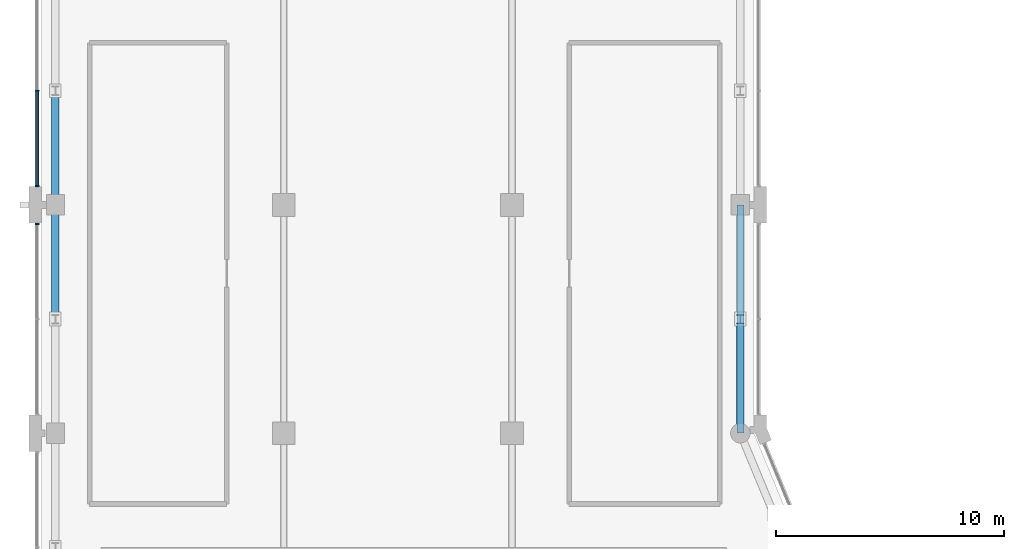
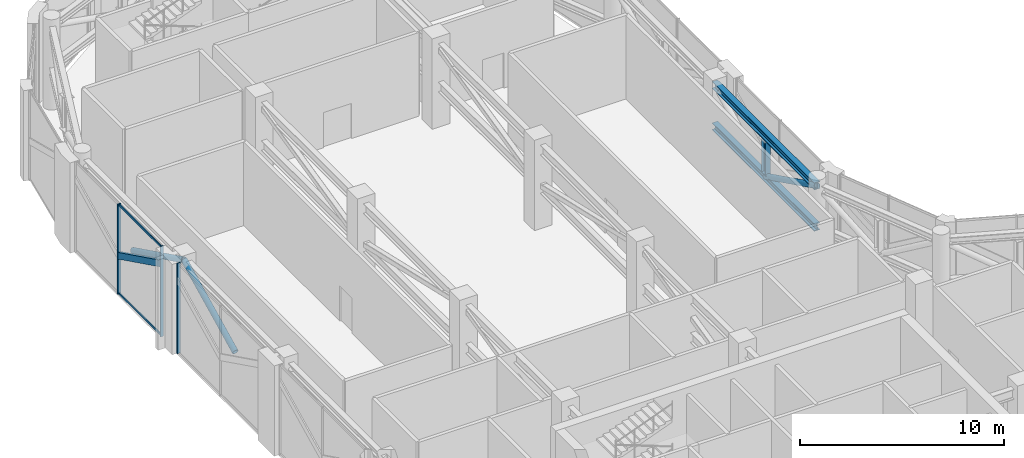
# One storey, part 7 of 18: 12 members, 2 elements without a shape of their own.
"""IFC4 building model written with IfcOpenShell, lengths in metres."""

from ifc_helpers import new_model, si_unit, direction, frame, origin, origin_2d, place, context, subcontext, project, spatial, polyline, rectangle, hollow_circle, i_section, outline, extrude, material, layer, layer_set, material_profile, profile_set, type_object, element, aggregate, save


model = new_model("IFC4")

# Units and contexts
model_context = context("Model", 3, precision=1e-05, world=origin(), true_north=direction((0.0, 1.0)))
body_context = subcontext(model_context, "Body", "Model", "MODEL_VIEW")
ifc_project = project(units=[si_unit("LENGTHUNIT", "METRE"), si_unit("AREAUNIT", "SQUARE_METRE"), si_unit("VOLUMEUNIT", "CUBIC_METRE"), si_unit("PLANEANGLEUNIT", "RADIAN"), si_unit("MASSUNIT", "GRAM", prefix="KILO")], contexts=[model_context])

# Site, building, storey
site_placement = place(None, origin())
site = spatial("IfcSite", under=ifc_project, at=site_placement, CompositionType="ELEMENT")
building_placement = place(site_placement, origin())
building = spatial("IfcBuilding", under=site, at=building_placement, Name="Qaws Garden Tower", CompositionType="ELEMENT")
storey_placement = place(building_placement, frame((0.0, 0.0, 352.800048828125)))
storey = spatial("IfcBuildingStorey", under=building, at=storey_placement, Name="L86", CompositionType="ELEMENT", Elevation=352.800048828125)

# Members
ifc_material_1 = material(Name="Steel S355", Category="steel")
ifc_material_profile_1 = material_profile(ifc_material_1, i_section(OverallWidth=0.306884765625, OverallDepth=0.431884765625, WebThickness=0.02099609375, FlangeThickness=0.0400390625, FilletRadius=0.027099609375, at=origin_2d()), Name="HEM 400")
ifc_profile_set_1 = profile_set([ifc_material_profile_1], Name="Steel S355")
member_type_1 = type_object("IfcMemberType", Name="Belt chord HEM 400", PredefinedType="CHORD", material=ifc_profile_set_1)
for number, where, z_axis, x_axis, name in (
    (1, (30.0, 40.0, 4.783935546875), (0.0, 1.0, 0.0), (-1.0, 0.0, 0.0), "Belt truss top chord 8"),
    (2, (30.0, 40.0, 2.31591796875), (0.0, 1.0, 0.0), (-1.0, 0.0, 0.0), "Belt truss bottom chord 8"),
):
    element("IfcMember", number, at=place(storey_placement, frame(where, z_axis=z_axis, x_axis=x_axis)), inside=storey, type_object=member_type_1, Name=name, PredefinedType="CHORD", context=body_context, shape_type="SweptSolid", body=[
        extrude(i_section(OverallWidth=0.306884765625, OverallDepth=0.431884765625, WebThickness=0.02099609375, FlangeThickness=0.0400390625, FilletRadius=0.027099609375, at=origin_2d()), origin(), (0.0, 0.0, 1.0), 10.0),
    ])
ifc_material_2 = material(Name="Steel S355", Category="steel")
ifc_material_profile_2 = material_profile(ifc_material_2, hollow_circle(Radius=0.161865234375, WallThickness=0.01611328125, at=origin_2d()), Name="CHS 323.9x16")
ifc_profile_set_2 = profile_set([ifc_material_profile_2], Name="Steel S355")
member_type_2 = type_object("IfcMemberType", Name="Belt diagonal CHS 323.9x16", PredefinedType="BRACE", material=ifc_profile_set_2)
for number, where, z_axis, x_axis, name in (
    (3, (30.0, 40.0, 4.783935546875), (0.0, 0.896709736444, -0.442619078404), (-1.0, 0.0, 0.0), "Belt truss diagonal 8a"),
    (4, (0.0, 55.0, 2.31591796875), (0.0, -0.896709736444, 0.442619078404), (1.0, 0.0, 0.0), "Belt truss diagonal 14b"),
    (5, (0.0, 50.0, 4.783935546875), (0.0, -0.896709736444, -0.442619078404), (1.0, 0.0, 0.0), "Belt truss diagonal 15a"),
):
    element("IfcMember", number, at=place(storey_placement, frame(where, z_axis=z_axis, x_axis=x_axis)), inside=storey, type_object=member_type_2, Name=name, PredefinedType="BRACE", context=body_context, shape_type="SweptSolid", body=[
        extrude(hollow_circle(Radius=0.161865234375, WallThickness=0.01611328125, at=origin_2d()), origin(), (0.0, 0.0, 1.0), 5.575927734375),
    ])
ifc_material_3 = material(Name="Steel S355", Category="steel")
ifc_material_profile_3 = material_profile(ifc_material_3, i_section(OverallWidth=0.300048828125, OverallDepth=0.39990234375, WebThickness=0.013427734375, FlangeThickness=0.02392578125, FilletRadius=0.027099609375, at=origin_2d()), Name="HEB 400")
ifc_profile_set_3 = profile_set([ifc_material_profile_3], Name="Steel S355")
member_type_3 = type_object("IfcMemberType", Name="Belt post HEB 400", PredefinedType="POST", material=ifc_profile_set_3)
member_1_placement = place(storey_placement, frame((30.0, 45.0, 2.531982421875), z_axis=(0.0, 0.0, 1.0), x_axis=(1.0, 0.0, 0.0)))
element("IfcMember", 6, at=member_1_placement, inside=storey, type_object=member_type_3, Name="Belt truss post 8", PredefinedType="POST", context=body_context, shape_type="SweptSolid", body=[
    extrude(i_section(OverallWidth=0.300048828125, OverallDepth=0.39990234375, WebThickness=0.013427734375, FlangeThickness=0.02392578125, FilletRadius=0.027099609375, at=origin_2d()), origin(), (0.0, 0.0, 1.0), 2.035888671875),
])

# Curtain wall, members
ifc_material_4 = material(Name="Anodised aluminium curtain wall frame", Category="aluminium")
ifc_layer = layer(ifc_material_4, 0.159912109375)
ifc_layer_set = layer_set([ifc_layer], Name="Anodised aluminium curtain wall frame")
curtain_wall_type = type_object("IfcCurtainWallType", Name="CW6 plant floor louvre glazing curtain wall", PredefinedType="NOTDEFINED", material=ifc_layer_set)
placement = place(storey_placement, origin())
curtain_wall_1 = element("IfcCurtainWall", 7, at=placement, inside=storey, type_object=curtain_wall_type, Name="CW6 Plant floor louvre glazing 17", PredefinedType="NOTDEFINED")
ifc_material_5 = material(Name="Anodised aluminium curtain wall frame", Category="aluminium")
ifc_material_profile_4 = material_profile(ifc_material_5, rectangle(XDim=0.179931640625, YDim=0.360107421875, at=origin_2d()), Name="AL 180x360")
ifc_profile_set_4 = profile_set([ifc_material_profile_4], Name="Anodised aluminium curtain wall frame")
member_type_4 = type_object("IfcMemberType", Name="CW6 inclined transom 360 x 180", PredefinedType="USERDEFINED", material=ifc_profile_set_4)
member_2_placement = place(storey_placement, frame((-0.800048828125, 59.199951171875, 0.119873046875), z_axis=(0.0, 0.0, 1.0), x_axis=(0.0, -1.0, 0.0)))
member_2 = element("IfcMember", 8, at=member_2_placement, type_object=member_type_4, Name="CW6 inclined transom 2.1", ObjectType="TRANSOM", PredefinedType="USERDEFINED", context=body_context, shape_type="SweptSolid", body=[
    extrude(outline(polyline([(4.22998046875, 2.01025390625), (8.340087890625, 4.038818359375), (8.340087890625, 4.440185546875), (4.22998046875, 2.41162109375), (4.22998046875, 2.01025390625)])), frame((0.0, 0.08984375, 0.0), z_axis=(0.0, -1.0, 0.0), x_axis=(1.0, 0.0, 0.0)), (0.0, 0.0, 1.0), 0.179931640625),
])
ifc_material_6 = material(Name="Anodised aluminium curtain wall frame", Category="aluminium")
ifc_material_profile_5 = material_profile(ifc_material_6, rectangle(XDim=0.179931640625, YDim=0.06005859375, at=origin_2d()), Name="AL 60x180")
ifc_profile_set_5 = profile_set([ifc_material_profile_5], Name="Anodised aluminium curtain wall frame")
member_type_5 = type_object("IfcMemberType", Name="CW6 mullion 60 x 180", PredefinedType="MULLION", material=ifc_profile_set_5)
member_3_placement = place(storey_placement, frame((-0.800048828125, 55.0, 0.0), z_axis=(0.0, 0.0, 1.0), x_axis=(1.0, 0.0, 0.0)))
member_3 = element("IfcMember", 9, at=member_3_placement, type_object=member_type_5, Name="CW6 mullion 2", PredefinedType="MULLION", context=body_context, shape_type="SweptSolid", body=[
    extrude(rectangle(XDim=0.179931640625, YDim=0.06005859375, at=origin_2d()), origin(), (0.0, 0.0, 1.0), 5.39990234375),
])
member_4_placement = place(storey_placement, frame((-0.800048828125, 50.830078125, 0.0), z_axis=(0.0, 0.0, 1.0), x_axis=(1.0, 0.0, 0.0)))
member_4 = element("IfcMember", 10, at=member_4_placement, type_object=member_type_5, Name="CW6 mullion 3", PredefinedType="MULLION", context=body_context, shape_type="SweptSolid", body=[
    extrude(rectangle(XDim=0.179931640625, YDim=0.06005859375, at=origin_2d()), origin(), (0.0, 0.0, 1.0), 5.39990234375),
])

# Curtain wall, member
curtain_wall_2 = element("IfcCurtainWall", 11, at=placement, inside=storey, type_object=curtain_wall_type, Name="CW6 Plant floor louvre glazing 18", PredefinedType="NOTDEFINED")
member_5_placement = place(storey_placement, frame((-0.800048828125, 49.169921875, 0.0), z_axis=(0.0, 0.0, 1.0), x_axis=(1.0, 0.0, 0.0)))
member_5 = element("IfcMember", 12, at=member_5_placement, type_object=member_type_5, Name="CW6 mullion 1", PredefinedType="MULLION", context=body_context, shape_type="SweptSolid", body=[
    extrude(rectangle(XDim=0.179931640625, YDim=0.06005859375, at=origin_2d()), origin(), (0.0, 0.0, 1.0), 5.39990234375),
])
aggregate(curtain_wall_2, [member_5])

# Member
ifc_material_7 = material(Name="Anodised aluminium curtain wall frame", Category="aluminium")
ifc_material_profile_6 = material_profile(ifc_material_7, rectangle(XDim=0.06005859375, YDim=0.1201171875, at=origin_2d()), Name="AL 60x120")
ifc_profile_set_6 = profile_set([ifc_material_profile_6], Name="Anodised aluminium curtain wall frame")
member_type_6 = type_object("IfcMemberType", Name="CW6 transom 120 x 60", PredefinedType="USERDEFINED", material=ifc_profile_set_6)
member_6_placement = place(storey_placement, frame((-0.800048828125, 54.969970703125, 0.06005859375), z_axis=(0.0, -1.0, 0.0), x_axis=(1.0, 0.0, 0.0)))
member_6 = element("IfcMember", 13, at=member_6_placement, type_object=member_type_6, Name="CW6 transom 2.1", ObjectType="TRANSOM", PredefinedType="USERDEFINED", context=body_context, shape_type="SweptSolid", body=[
    extrude(rectangle(XDim=0.06005859375, YDim=0.1201171875, at=origin_2d()), origin(), (0.0, 0.0, 1.0), 4.10986328125),
])

member_7_placement = place(storey_placement, frame((-0.800048828125, 54.969970703125, 5.33984375), z_axis=(0.0, -1.0, 0.0), x_axis=(1.0, 0.0, 0.0)))
member_7 = element("IfcMember", 14, at=member_7_placement, type_object=member_type_6, Name="CW6 transom 2.2", ObjectType="TRANSOM", PredefinedType="USERDEFINED", context=body_context, shape_type="SweptSolid", body=[
    extrude(rectangle(XDim=0.06005859375, YDim=0.1201171875, at=origin_2d()), origin(), (0.0, 0.0, 1.0), 4.10986328125),
])

aggregate(curtain_wall_1, [member_3, member_4, member_6, member_7, member_2])

save(model, "model.ifc")
